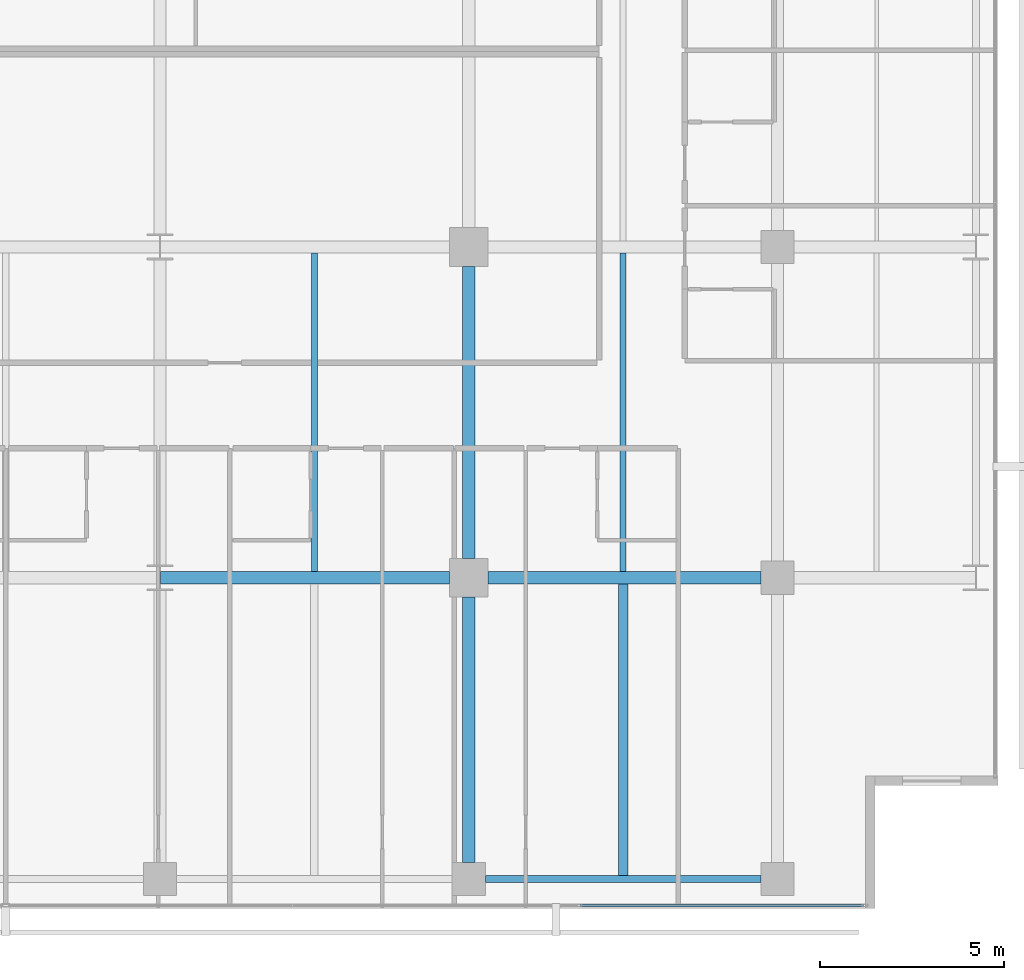
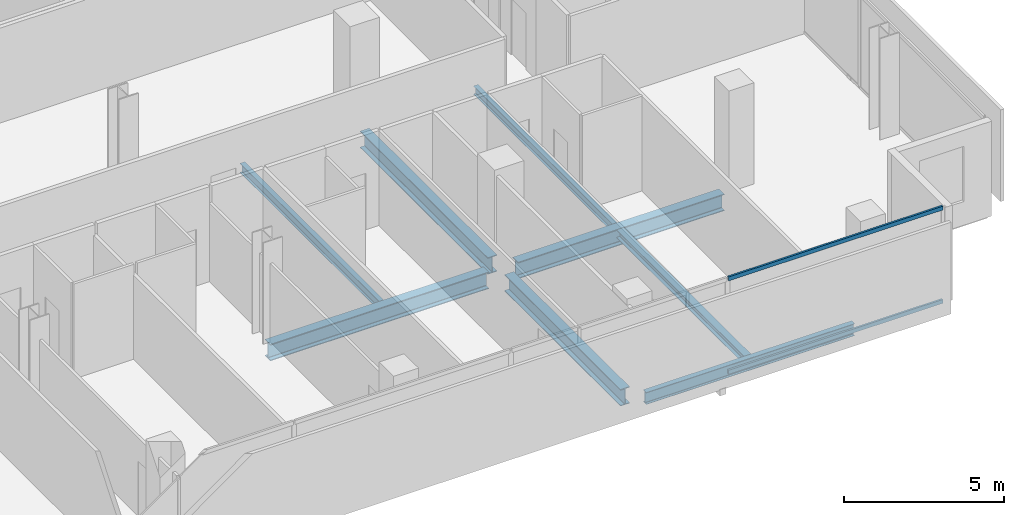
# One storey, part 15 of 40: 8 beams, 2 members, 1 element without a shape of its own.
"""IFC4 building model written with IfcOpenShell, lengths in metres."""

from ifc_helpers import new_model, si_unit, direction, frame, origin, origin_2d, place, context, subcontext, project, spatial, hollow_rectangle, i_section, extrude, material, layer, layer_set, material_profile, profile_set, type_object, element, aggregate, save


model = new_model("IFC4")

# Units and contexts
model_context = context("Model", 3, precision=1e-05, world=origin(), true_north=direction((0.0, 1.0)))
body_context = subcontext(model_context, "Body", "Model", "MODEL_VIEW")
ifc_project = project(units=[si_unit("LENGTHUNIT", "METRE"), si_unit("AREAUNIT", "SQUARE_METRE"), si_unit("VOLUMEUNIT", "CUBIC_METRE"), si_unit("PLANEANGLEUNIT", "RADIAN"), si_unit("MASSUNIT", "GRAM", prefix="KILO")], contexts=[model_context])

# Site, building, storey
site_placement = place(None, origin())
site = spatial("IfcSite", under=ifc_project, at=site_placement, CompositionType="ELEMENT")
building_placement = place(site_placement, origin())
building = spatial("IfcBuilding", under=site, at=building_placement, Name="Maruvema Waterfront Hotel and Observation Tower", CompositionType="ELEMENT")
storey_placement = place(building_placement, frame((0.0, 0.0, 34.64990234375)))
storey = spatial("IfcBuildingStorey", under=building, at=storey_placement, Name="L07", CompositionType="ELEMENT", Elevation=34.64990234375)

# Curtain wall, members
ifc_material_1 = material(Name="Anodised bronze aluminium and solar-control low-E IGU", Category="aluminium")
ifc_layer = layer(ifc_material_1, 0.159912109375, Name="Zone 1 Bronze Inner Thermal Curtain Wall System CW-02")
ifc_layer_set = layer_set([ifc_layer], Name="Anodised bronze aluminium and solar-control low-E IGU")
curtain_wall_type = type_object("IfcCurtainWallType", Name="Zone 1 Bronze Inner Thermal Curtain Wall System CW-02", PredefinedType="USERDEFINED", material=ifc_layer_set)
curtain_wall_placement = place(storey_placement, origin())
curtain_wall = element("IfcCurtainWall", 1, at=curtain_wall_placement, inside=storey, type_object=curtain_wall_type, Name="L07 Curtain Wall CW-L07-S", ObjectType="UNITISED CURTAIN WALL", PredefinedType="USERDEFINED")
ifc_material_2 = material(Name="Anodised architectural bronze aluminium", Category="aluminium")
ifc_material_profile_1 = material_profile(ifc_material_2, hollow_rectangle(XDim=0.070068359375, YDim=0.14990234375, WallThickness=0.00390625, at=origin_2d()), Name="ALU-T70x150")
ifc_profile_set_1 = profile_set([ifc_material_profile_1], Name="Anodised architectural bronze aluminium")
member_type = type_object("IfcMemberType", Name="Curtain Wall Horizontal Transom ALU-T70x150", PredefinedType="USERDEFINED", material=ifc_profile_set_1)
member_1_placement = place(storey_placement, frame((53.429931640625, 0.080078125, 0.030029296875), z_axis=(1.0, 0.0, 0.0), x_axis=(0.0, 1.0, 0.0)))
member_1 = element("IfcMember", 2, at=member_1_placement, type_object=member_type, Name="CW-02 transom 6.1", ObjectType="TRANSOM", PredefinedType="USERDEFINED", context=body_context, shape_type="SweptSolid", body=[
    extrude(hollow_rectangle(XDim=0.070068359375, YDim=0.14990234375, WallThickness=0.00390625, at=origin_2d()), origin(), (0.0, 0.0, 1.0), 7.7099609375),
])
member_2_placement = place(storey_placement, frame((53.429931640625, 0.080078125, 3.580078125), z_axis=(1.0, 0.0, 0.0), x_axis=(0.0, 1.0, 0.0)))
member_2 = element("IfcMember", 3, at=member_2_placement, type_object=member_type, Name="CW-02 transom 6.2", ObjectType="TRANSOM", PredefinedType="USERDEFINED", context=body_context, shape_type="SweptSolid", body=[
    extrude(hollow_rectangle(XDim=0.070068359375, YDim=0.14990234375, WallThickness=0.00390625, at=origin_2d()), origin(), (0.0, 0.0, 1.0), 7.7099609375),
])
aggregate(curtain_wall, [member_1, member_2])

# Beams
ifc_material_3 = material(Name="Steel ASTM A572 Grade 50", Category="steel")
ifc_material_profile_2 = material_profile(ifc_material_3, i_section(OverallWidth=0.18994140625, OverallDepth=0.45703125, WebThickness=0.009033203125, FlangeThickness=0.014404296875, FilletRadius=0.014892578125, at=origin_2d()), Name="W460x74.0")
ifc_profile_set_2 = profile_set([ifc_material_profile_2], Name="Steel ASTM A572 Grade 50")
beam_type_1 = type_object("IfcBeamType", Name="Perimeter Spandrel Beam W460x74.0", PredefinedType="SPANDREL", material=ifc_profile_set_2)
beam_1_placement = place(storey_placement, frame((50.85009765625, 0.800048828125, -0.468505859375), z_axis=(1.0, 0.0, 0.0), x_axis=(0.0, 1.0, 0.0)))
element("IfcBeam", 4, at=beam_1_placement, inside=storey, type_object=beam_type_1, Name="L07 Floor Girder EW-05", PredefinedType="SPANDREL", context=body_context, shape_type="SweptSolid", body=[
    extrude(i_section(OverallWidth=0.18994140625, OverallDepth=0.45703125, WebThickness=0.009033203125, FlangeThickness=0.014404296875, FilletRadius=0.014892578125, at=origin_2d()), origin(), (0.0, 0.0, 1.0), 7.5),
])
ifc_material_4 = material(Name="Steel ASTM A572 Grade 50", Category="steel")
ifc_material_profile_3 = material_profile(ifc_material_4, i_section(OverallWidth=0.3291015625, OverallDepth=0.635009765625, WebThickness=0.017822265625, FlangeThickness=0.031005859375, FilletRadius=0.01806640625, at=origin_2d()), Name="W610x241.0")
ifc_profile_set_3 = profile_set([ifc_material_profile_3], Name="Steel ASTM A572 Grade 50")
beam_type_2 = type_object("IfcBeamType", Name="Primary Floor Girder W610x241.0", PredefinedType="BEAM", material=ifc_profile_set_3)
beam_2_placement = place(storey_placement, frame((42.013916015625, 9.0, -0.557373046875), z_axis=(1.0, 0.0, 0.0), x_axis=(0.0, 1.0, 0.0)))
element("IfcBeam", 5, at=beam_2_placement, inside=storey, type_object=beam_type_2, Name="L07 Floor Girder EW-10", PredefinedType="BEAM", context=body_context, shape_type="SweptSolid", body=[
    extrude(i_section(OverallWidth=0.3291015625, OverallDepth=0.635009765625, WebThickness=0.017822265625, FlangeThickness=0.031005859375, FilletRadius=0.01806640625, at=origin_2d()), origin(), (0.0, 0.0, 1.0), 7.861083984375),
])
beam_3_placement = place(storey_placement, frame((50.925048828125, 9.0, -0.557373046875), z_axis=(1.0, 0.0, 0.0), x_axis=(0.0, 1.0, 0.0)))
element("IfcBeam", 6, at=beam_3_placement, inside=storey, type_object=beam_type_2, Name="L07 Floor Girder EW-11", PredefinedType="BEAM", context=body_context, shape_type="SweptSolid", body=[
    extrude(i_section(OverallWidth=0.3291015625, OverallDepth=0.635009765625, WebThickness=0.017822265625, FlangeThickness=0.031005859375, FilletRadius=0.01806640625, at=origin_2d()), origin(), (0.0, 0.0, 1.0), 7.425048828125),
])
beam_4_placement = place(storey_placement, frame((50.39990234375, 1.25, -0.557373046875), z_axis=(0.0, 1.0, 0.0), x_axis=(-1.0, 0.0, 0.0)))
element("IfcBeam", 7, at=beam_4_placement, inside=storey, type_object=beam_type_2, Name="L07 Floor Girder NS-22", PredefinedType="BEAM", context=body_context, shape_type="SweptSolid", body=[
    extrude(i_section(OverallWidth=0.3291015625, OverallDepth=0.635009765625, WebThickness=0.017822265625, FlangeThickness=0.031005859375, FilletRadius=0.01806640625, at=origin_2d()), origin(), (0.0, 0.0, 1.0), 7.22509765625),
])
beam_5_placement = place(storey_placement, frame((50.39990234375, 9.52490234375, -0.557373046875), z_axis=(0.0, 1.0, 0.0), x_axis=(-1.0, 0.0, 0.0)))
element("IfcBeam", 8, at=beam_5_placement, inside=storey, type_object=beam_type_2, Name="L07 Floor Girder NS-23", PredefinedType="BEAM", context=body_context, shape_type="SweptSolid", body=[
    extrude(i_section(OverallWidth=0.3291015625, OverallDepth=0.635009765625, WebThickness=0.017822265625, FlangeThickness=0.031005859375, FilletRadius=0.01806640625, at=origin_2d()), origin(), (0.0, 0.0, 1.0), 7.9501953125),
])
ifc_material_5 = material(Name="Steel ASTM A572 Grade 50", Category="steel")
ifc_material_profile_4 = material_profile(ifc_material_5, i_section(OverallWidth=0.1669921875, OverallDepth=0.31689453125, WebThickness=0.007568359375, FlangeThickness=0.01318359375, FilletRadius=0.012939453125, at=origin_2d()), Name="W310x52.0")
ifc_profile_set_4 = profile_set([ifc_material_profile_4], Name="Steel ASTM A572 Grade 50")
beam_type_3 = type_object("IfcBeamType", Name="Secondary Floor Joist W310x52.0", PredefinedType="JOIST", material=ifc_profile_set_4)
beam_6_placement = place(storey_placement, frame((54.60009765625, 9.16455078125, -0.3984375), z_axis=(0.0, 1.0, 0.0), x_axis=(-1.0, 0.0, 0.0)))
element("IfcBeam", 9, at=beam_6_placement, inside=storey, type_object=beam_type_3, Name="L07 Secondary Floor Joist JS-17", PredefinedType="JOIST", context=body_context, shape_type="SweptSolid", body=[
    extrude(i_section(OverallWidth=0.1669921875, OverallDepth=0.31689453125, WebThickness=0.007568359375, FlangeThickness=0.01318359375, FilletRadius=0.012939453125, at=origin_2d()), origin(), (0.0, 0.0, 1.0), 8.6708984375),
])
ifc_material_6 = material(Name="Steel ASTM A572 Grade 50", Category="steel")
ifc_material_profile_5 = material_profile(ifc_material_6, i_section(OverallWidth=0.25390625, OverallDepth=0.305908203125, WebThickness=0.0087890625, FlangeThickness=0.0146484375, FilletRadius=0.014892578125, at=origin_2d()), Name="W310x79.0")
ifc_profile_set_5 = profile_set([ifc_material_profile_5], Name="Steel ASTM A572 Grade 50")
beam_type_4 = type_object("IfcBeamType", Name="Secondary Floor Joist W310x79.0", PredefinedType="JOIST", material=ifc_profile_set_5)
beam_7_placement = place(storey_placement, frame((54.60009765625, 0.89501953125, -0.392822265625), z_axis=(0.0, 1.0, 0.0), x_axis=(-1.0, 0.0, 0.0)))
element("IfcBeam", 10, at=beam_7_placement, inside=storey, type_object=beam_type_4, Name="L07 Secondary Floor Joist JS-16", PredefinedType="JOIST", context=body_context, shape_type="SweptSolid", body=[
    extrude(i_section(OverallWidth=0.25390625, OverallDepth=0.305908203125, WebThickness=0.0087890625, FlangeThickness=0.0146484375, FilletRadius=0.014892578125, at=origin_2d()), origin(), (0.0, 0.0, 1.0), 7.9404296875),
])
ifc_material_7 = material(Name="Steel ASTM A572 Grade 50", Category="steel")
ifc_material_profile_6 = material_profile(ifc_material_7, i_section(OverallWidth=0.1708984375, OverallDepth=0.35498046875, WebThickness=0.007080078125, FlangeThickness=0.01171875, FilletRadius=0.014892578125, at=origin_2d()), Name="W360x51.0")
ifc_profile_set_6 = profile_set([ifc_material_profile_6], Name="Steel ASTM A572 Grade 50")
beam_type_5 = type_object("IfcBeamType", Name="Secondary Floor Joist W360x51.0", PredefinedType="JOIST", material=ifc_profile_set_6)
beam_8_placement = place(storey_placement, frame((46.199951171875, 9.16455078125, -0.41748046875), z_axis=(0.0, 1.0, 0.0), x_axis=(-1.0, 0.0, 0.0)))
element("IfcBeam", 11, at=beam_8_placement, inside=storey, type_object=beam_type_5, Name="L07 Secondary Floor Joist JS-15", PredefinedType="JOIST", context=body_context, shape_type="SweptSolid", body=[
    extrude(i_section(OverallWidth=0.1708984375, OverallDepth=0.35498046875, WebThickness=0.007080078125, FlangeThickness=0.01171875, FilletRadius=0.014892578125, at=origin_2d()), origin(), (0.0, 0.0, 1.0), 8.6708984375),
])

save(model, "model.ifc")
